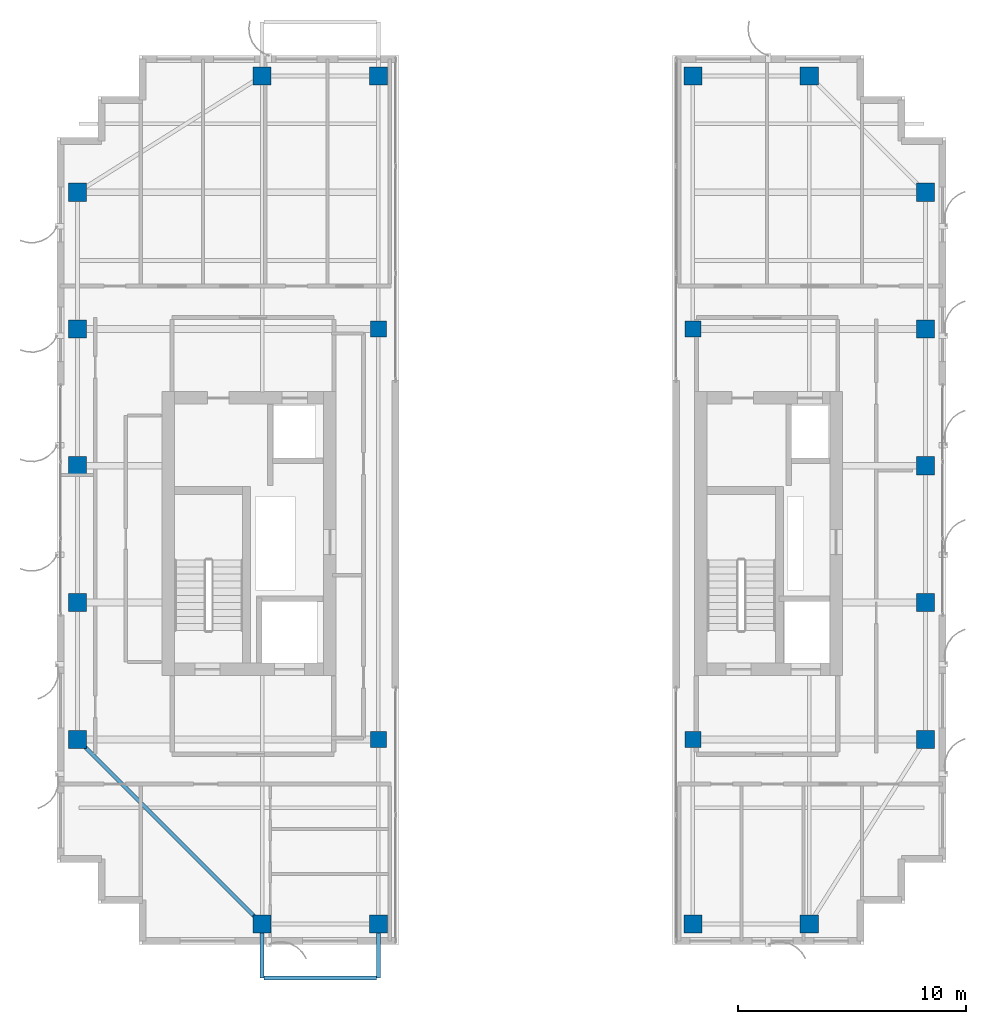
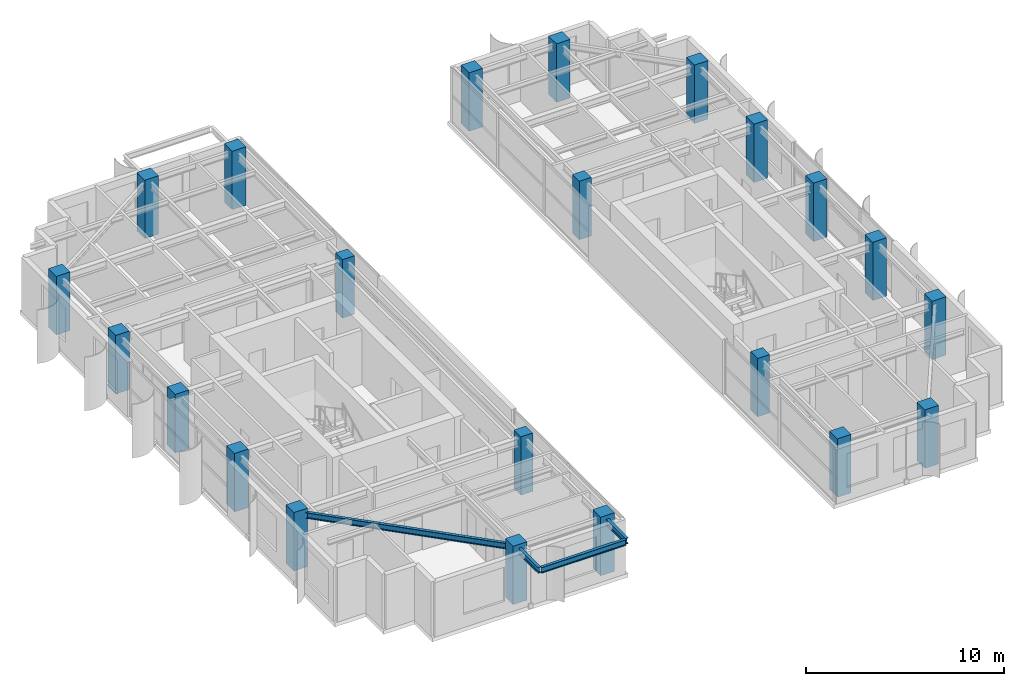
# One storey, part 1 of 22: 22 columns, 4 beams.
"""IFC4 building model written with IfcOpenShell, lengths in metres."""

from ifc_helpers import new_model, si_unit, direction, frame, origin, origin_2d, place, context, subcontext, project, spatial, rectangle, i_section, extrude, source, transform, mapped, material, material_profile, profile_set, type_object, element, save


model = new_model("IFC4")

# Units and contexts
model_context = context("Model", 3, precision=1e-05, world=origin(), true_north=direction((0.0, 1.0)))
body_context = subcontext(model_context, "Body", "Model", "MODEL_VIEW")
ifc_project = project(units=[si_unit("LENGTHUNIT", "METRE"), si_unit("AREAUNIT", "SQUARE_METRE"), si_unit("VOLUMEUNIT", "CUBIC_METRE"), si_unit("PLANEANGLEUNIT", "RADIAN"), si_unit("MASSUNIT", "GRAM", prefix="KILO")], contexts=[model_context])

# Site, building, storey
site_placement = place(None, origin())
site = spatial("IfcSite", under=ifc_project, at=site_placement, CompositionType="ELEMENT")
building_placement = place(site_placement, origin())
building = spatial("IfcBuilding", under=site, at=building_placement, Name="Khoralis Quay Care Tower", CompositionType="ELEMENT")
storey_placement = place(building_placement, frame((0.0, 0.0, 242.10009765625)))
storey = spatial("IfcBuildingStorey", under=building, at=storey_placement, Name="L63", CompositionType="ELEMENT", Elevation=242.10009765625)

# Columns
ifc_material_1 = material(Name="Concrete C50/60", Category="concrete")
ifc_material_profile_1 = material_profile(ifc_material_1, rectangle(XDim=0.800048828125, YDim=0.800048828125, at=origin_2d()), Name="Concrete C50/60")
ifc_profile_set_1 = profile_set([ifc_material_profile_1], Name="Concrete C50/60")
column_type_1 = type_object("IfcColumnType", Name="COL-C800", PredefinedType="COLUMN", material=ifc_profile_set_1)
shared_shape_1 = source(origin(), body_context, "Body", "SweptSolid", [
    extrude(rectangle(XDim=0.800048828125, YDim=0.800048828125, at=origin_2d()), origin(), (0.0, 0.0, 1.0), 3.599853515625),
])
for number, where, z_axis, x_axis, name in (
    (1, (12.0, 3.89990234375, 0.0), (0.0, 0.0, 1.0), (1.0, 0.0, 0.0), "COL-TWR-L63-01"),
    (2, (12.0, 41.10009765625, 0.0), (0.0, 0.0, 1.0), (1.0, 0.0, 0.0), "COL-TWR-L63-02"),
    (3, (17.10009765625, 3.89990234375, 0.0), (0.0, 0.0, 1.0), (1.0, 0.0, 0.0), "COL-TWR-L63-03"),
    (4, (17.10009765625, 41.10009765625, 0.0), (0.0, 0.0, 1.0), (1.0, 0.0, 0.0), "COL-TWR-L63-04"),
    (5, (30.89990234375, 3.89990234375, 0.0), (0.0, 0.0, 1.0), (1.0, 0.0, 0.0), "COL-TWR-L63-05"),
    (6, (30.89990234375, 41.10009765625, 0.0), (0.0, 0.0, 1.0), (1.0, 0.0, 0.0), "COL-TWR-L63-06"),
    (7, (36.0, 3.89990234375, 0.0), (0.0, 0.0, 1.0), (1.0, 0.0, 0.0), "COL-TWR-L63-07"),
    (8, (36.0, 41.10009765625, 0.0), (0.0, 0.0, 1.0), (1.0, 0.0, 0.0), "COL-TWR-L63-08"),
    (9, (3.89990234375, 12.0, 0.0), (0.0, 0.0, 1.0), (1.0, 0.0, 0.0), "COL-TWR-L63-09"),
    (10, (41.10009765625, 12.0, 0.0), (0.0, 0.0, 1.0), (1.0, 0.0, 0.0), "COL-TWR-L63-10"),
    (11, (3.89990234375, 18.0, 0.0), (0.0, 0.0, 1.0), (1.0, 0.0, 0.0), "COL-TWR-L63-11"),
    (12, (41.10009765625, 18.0, 0.0), (0.0, 0.0, 1.0), (1.0, 0.0, 0.0), "COL-TWR-L63-12"),
    (13, (3.89990234375, 24.0, 0.0), (0.0, 0.0, 1.0), (1.0, 0.0, 0.0), "COL-TWR-L63-13"),
    (14, (41.10009765625, 24.0, 0.0), (0.0, 0.0, 1.0), (1.0, 0.0, 0.0), "COL-TWR-L63-14"),
    (15, (3.89990234375, 30.0, 0.0), (0.0, 0.0, 1.0), (1.0, 0.0, 0.0), "COL-TWR-L63-15"),
    (16, (41.10009765625, 30.0, 0.0), (0.0, 0.0, 1.0), (1.0, 0.0, 0.0), "COL-TWR-L63-16"),
    (17, (3.89990234375, 36.0, 0.0), (0.0, 0.0, 1.0), (1.0, 0.0, 0.0), "COL-TWR-L63-17"),
    (18, (41.10009765625, 36.0, 0.0), (0.0, 0.0, 1.0), (1.0, 0.0, 0.0), "COL-TWR-L63-18"),
):
    element("IfcColumn", number, at=place(storey_placement, frame(where, z_axis=z_axis, x_axis=x_axis)), inside=storey, type_object=column_type_1, Name=name, PredefinedType="COLUMN", context=body_context, shape_type="MappedRepresentation", body=[
        mapped(shared_shape_1, transform((0.0, 0.0, 0.0), scale=1.0)),
    ])
ifc_material_profile_2 = material_profile(ifc_material_1, rectangle(XDim=0.699951171875, YDim=0.699951171875, at=origin_2d()), Name="Concrete C50/60")
ifc_profile_set_2 = profile_set([ifc_material_profile_2], Name="Concrete C50/60")
column_type_2 = type_object("IfcColumnType", Name="COL-C700", PredefinedType="COLUMN", material=ifc_profile_set_2)
shared_shape_2 = source(origin(), body_context, "Body", "SweptSolid", [
    extrude(rectangle(XDim=0.699951171875, YDim=0.699951171875, at=origin_2d()), origin(), (0.0, 0.0, 1.0), 3.599853515625),
])
for number, where, z_axis, x_axis, name in (
    (19, (17.10009765625, 12.0, 0.0), (0.0, 0.0, 1.0), (1.0, 0.0, 0.0), "COL-TWR-L63-19"),
    (20, (17.10009765625, 30.0, 0.0), (0.0, 0.0, 1.0), (1.0, 0.0, 0.0), "COL-TWR-L63-20"),
    (21, (30.89990234375, 12.0, 0.0), (0.0, 0.0, 1.0), (1.0, 0.0, 0.0), "COL-TWR-L63-21"),
    (22, (30.89990234375, 30.0, 0.0), (0.0, 0.0, 1.0), (1.0, 0.0, 0.0), "COL-TWR-L63-22"),
):
    element("IfcColumn", number, at=place(storey_placement, frame(where, z_axis=z_axis, x_axis=x_axis)), inside=storey, type_object=column_type_2, Name=name, PredefinedType="COLUMN", context=body_context, shape_type="MappedRepresentation", body=[
        mapped(shared_shape_2, transform((0.0, 0.0, 0.0), scale=1.0)),
    ])

# Beams
ifc_material_2 = material(Name="Steel S355", Category="steel")
ifc_material_profile_3 = material_profile(ifc_material_2, i_section(OverallWidth=0.169921875, OverallDepth=0.360107421875, WebThickness=0.008056640625, FlangeThickness=0.0126953125, FilletRadius=0.01806640625, at=origin_2d()), Name="Steel S355")
ifc_profile_set_3 = profile_set([ifc_material_profile_3], Name="Steel S355")
beam_type = type_object("IfcBeamType", Name="BM-IPE360", PredefinedType="SPANDREL", material=ifc_profile_set_3)
shared_shape_3 = source(origin(), body_context, "Body", "SweptSolid", [
    extrude(i_section(OverallWidth=0.169921875, OverallDepth=0.360107421875, WebThickness=0.008056640625, FlangeThickness=0.0126953125, FilletRadius=0.01806640625, at=origin_2d()), origin(), (0.0, 0.0, 1.0), 11.455322265625),
])
beam_1_placement = place(storey_placement, frame((12.0, 3.89990234375, 3.179931640625), z_axis=(-0.707106781187, 0.707106781187, 0.0), x_axis=(-0.707106781187, -0.707106781187, 0.0)))
element("IfcBeam", 23, at=beam_1_placement, inside=storey, type_object=beam_type, Name="BM-TCR-L63-13", PredefinedType="SPANDREL", context=body_context, shape_type="MappedRepresentation", body=[
    mapped(shared_shape_3, transform((0.0, 0.0, 0.0), scale=1.0)),
])
shared_shape_4 = source(origin(), body_context, "Body", "SweptSolid", [
    extrude(i_section(OverallWidth=0.169921875, OverallDepth=0.360107421875, WebThickness=0.008056640625, FlangeThickness=0.0126953125, FilletRadius=0.01806640625, at=origin_2d()), origin(), (0.0, 0.0, 1.0), 2.119873046875),
])
for number, where, z_axis, x_axis, name in (
    (24, (12.0, 3.64990234375, 3.183837890625), (0.0, -1.0, 0.0), (1.0, 0.0, 0.0), "L64 Balcony Cantilever Outrigger Beam 1"),
    (25, (17.10009765625, 3.64990234375, 3.183837890625), (0.0, -1.0, 0.0), (1.0, 0.0, 0.0), "L64 Balcony Cantilever Outrigger Beam 2"),
):
    element("IfcBeam", number, at=place(storey_placement, frame(where, z_axis=z_axis, x_axis=x_axis)), inside=storey, type_object=beam_type, Name=name, PredefinedType="SPANDREL", context=body_context, shape_type="MappedRepresentation", body=[
        mapped(shared_shape_4, transform((0.0, 0.0, 0.0), scale=1.0)),
    ])
shared_shape_5 = source(origin(), body_context, "Body", "SweptSolid", [
    extrude(i_section(OverallWidth=0.169921875, OverallDepth=0.360107421875, WebThickness=0.008056640625, FlangeThickness=0.0126953125, FilletRadius=0.01806640625, at=origin_2d()), origin(), (0.0, 0.0, 1.0), 4.924072265625),
])
beam_2_placement = place(storey_placement, frame((12.087890625, 1.530029296875, 3.183837890625), z_axis=(1.0, 0.0, 0.0), x_axis=(0.0, 1.0, 0.0)))
element("IfcBeam", 26, at=beam_2_placement, inside=storey, type_object=beam_type, Name="L64 Balcony Edge Spandrel Beam P1E0", PredefinedType="SPANDREL", context=body_context, shape_type="MappedRepresentation", body=[
    mapped(shared_shape_5, transform((0.0, 0.0, 0.0), scale=1.0)),
])

save(model, "model.ifc")
